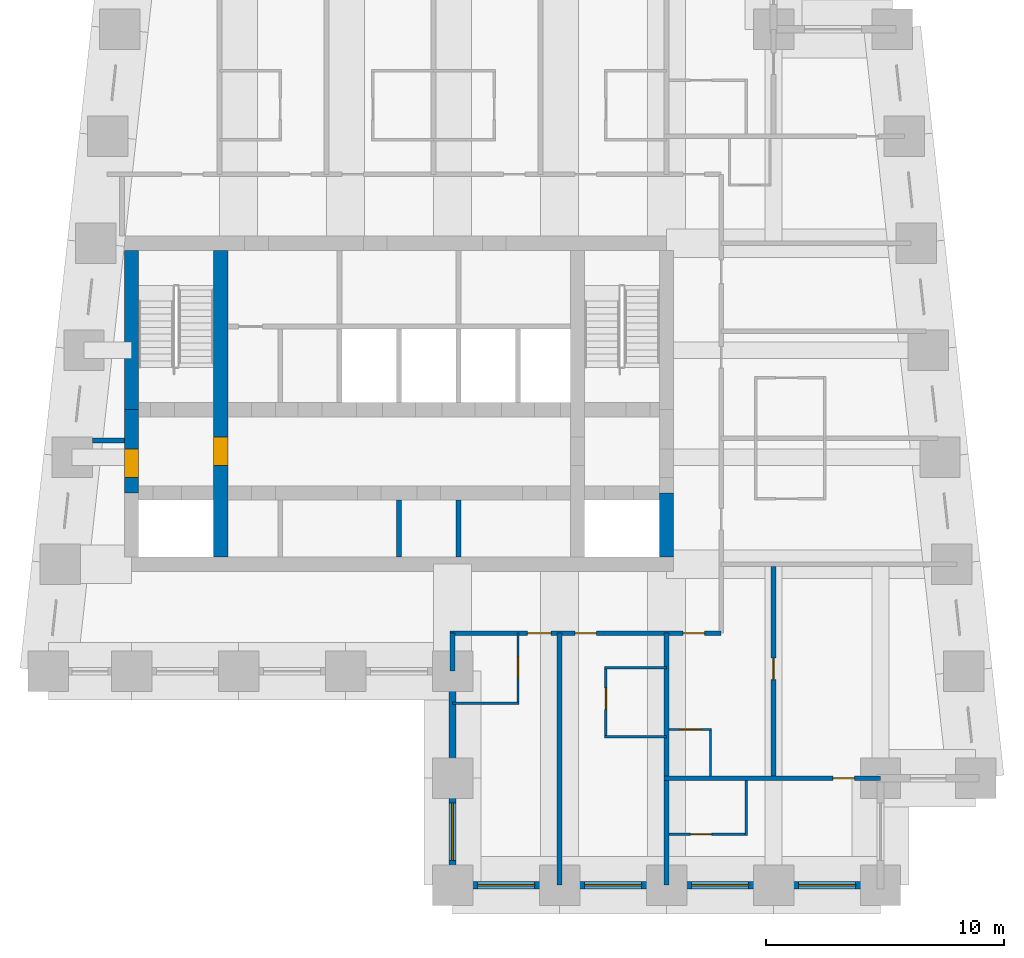
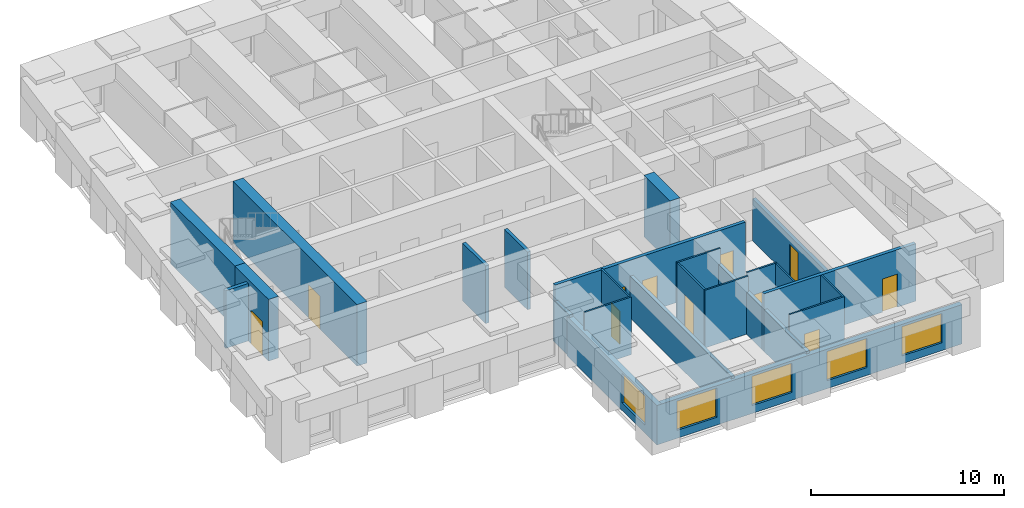
# One storey, part 2 of 7: 24 walls, 11 doors, 5 windows, 16 openings.
"""IFC4 building model written with IfcOpenShell, lengths in metres."""

from ifc_helpers import new_model, si_unit, direction, frame, frame_2d, origin, place, context, subcontext, project, spatial, rectangle, extrude, material, layer, layer_set, type_object, element, fill, save


model = new_model("IFC4")

# Units and contexts
model_context = context("Model", 3, precision=1e-05, world=origin(), true_north=direction((0.0, 1.0)))
body_context = subcontext(model_context, "Body", "Model", "MODEL_VIEW")
ifc_project = project(units=[si_unit("LENGTHUNIT", "METRE"), si_unit("AREAUNIT", "SQUARE_METRE"), si_unit("VOLUMEUNIT", "CUBIC_METRE"), si_unit("PLANEANGLEUNIT", "RADIAN"), si_unit("MASSUNIT", "GRAM", prefix="KILO")], contexts=[model_context])

# Site, building, storey
site_placement = place(None, origin())
site = spatial("IfcSite", under=ifc_project, at=site_placement, CompositionType="ELEMENT")
building_placement = place(site_placement, origin())
building = spatial("IfcBuilding", under=site, at=building_placement, Name="Kilele Tower Hotel", CompositionType="ELEMENT")
storey_placement = place(building_placement, frame((0.0, 0.0, 221.300048828125)))
storey = spatial("IfcBuildingStorey", under=building, at=storey_placement, Name="L57", CompositionType="ELEMENT", Elevation=221.300048828125)

# Wall
ifc_material_1 = material(Name="Moisture-resistant board")
ifc_layer_1 = layer(ifc_material_1, 0.10009765625)
ifc_layer_set_1 = layer_set([ifc_layer_1], Name="Moisture-resistant board")
wall_type_1 = type_object("IfcWallType", Name="Bathroom partition 100", PredefinedType="PLUMBINGWALL", material=ifc_layer_set_1)
wall_1_placement = place(storey_placement, frame((27.0, 7.64990234375, 0.0), z_axis=(0.0, 0.0, 1.0), x_axis=(1.0, 0.0, 0.0)))
element("IfcWall", 1, at=wall_1_placement, inside=storey, type_object=wall_type_1, Name="Bathroom partition 100 L57", PredefinedType="PLUMBINGWALL", context=body_context, shape_type="SweptSolid", body=[
    extrude(rectangle(XDim=2.800048828125, YDim=0.10009765625, at=frame_2d((1.39990234375, 0.0))), origin(), (0.0, 0.0, 1.0), 3.64990234375),
])

# Wall, opening, door
wall_2_placement = place(storey_placement, frame((29.75, 10.60009765625, 0.0), z_axis=(0.0, 0.0, 1.0), x_axis=(0.0, -1.0, 0.0)))
wall_2 = element("IfcWall", 2, at=wall_2_placement, inside=storey, type_object=wall_type_1, Name="Bathroom partition 100 L57", PredefinedType="PLUMBINGWALL", context=body_context, shape_type="SweptSolid", body=[
    extrude(rectangle(XDim=3.0, YDim=0.10009765625, at=frame_2d((1.5, 0.0))), origin(), (0.0, 0.0, 1.0), 3.64990234375),
])
opening_1_placement = place(wall_2_placement, frame((1.0, 0.0, 0.0)))
opening_1 = element("IfcOpeningElement", 3, at=opening_1_placement, cuts=wall_2, Name="Opening D2A", PredefinedType="OPENING", context=body_context, shape_type="SweptSolid", body=[
    extrude(rectangle(XDim=0.89990234375, YDim=2.10009765625, at=frame_2d((0.449951171875, 1.050048828125))), frame((0.0, 0.06005859375, 0.0), z_axis=(0.0, -1.0, 0.0), x_axis=(1.0, 0.0, 0.0)), (0.0, 0.0, 1.0), 0.1201171875),
])
ifc_material_2 = material(Name="Timber door leaf in hardwood frame", Category="wood")
door_type_1 = type_object("IfcDoorType", Name="Bathroom door 900", OperationType="SINGLE_SWING_LEFT", PredefinedType="DOOR", material=ifc_material_2)
door_1_placement = place(opening_1_placement, origin())
door_1 = element("IfcDoor", 4, at=door_1_placement, inside=storey, type_object=door_type_1, Name="Bathroom door 5702B", OperationType="SINGLE_SWING_LEFT", OverallHeight=2.10009765625, OverallWidth=0.89990234375, PredefinedType="DOOR", context=body_context, shape_type="SweptSolid", body=[
    extrude(rectangle(XDim=0.89990234375, YDim=2.10009765625, at=frame_2d((0.449951171875, 1.050048828125))), frame((0.0, 0.02490234375, 0.0), z_axis=(0.0, -1.0, 0.0), x_axis=(1.0, 0.0, 0.0)), (0.0, 0.0, 1.0), 0.050048828125),
])
fill(opening_1, door_1)

# Walls
for number, where, z_axis, x_axis, name in (
    (5, (33.39990234375, 9.14990234375, 0.0), (0.0, 0.0, 1.0), (1.0, 0.0, 0.0), "Bathroom partition 100 L57"),
    (6, (33.39990234375, 6.25, 0.0), (0.0, 0.0, 1.0), (1.0, 0.0, 0.0), "Bathroom partition 100 L57"),
):
    element("IfcWall", number, at=place(storey_placement, frame(where, z_axis=z_axis, x_axis=x_axis)), inside=storey, type_object=wall_type_1, Name=name, PredefinedType="PLUMBINGWALL", context=body_context, shape_type="SweptSolid", body=[
        extrude(rectangle(XDim=2.60009765625, YDim=0.10009765625, at=frame_2d((1.300048828125, 0.0))), origin(), (0.0, 0.0, 1.0), 3.64990234375),
    ])

# Wall, opening, door
wall_3_placement = place(storey_placement, frame((33.449951171875, 9.199951171875, 0.0), z_axis=(0.0, 0.0, 1.0), x_axis=(0.0, -1.0, 0.0)))
wall_3 = element("IfcWall", 7, at=wall_3_placement, inside=storey, type_object=wall_type_1, Name="Bathroom partition 100 L57", PredefinedType="PLUMBINGWALL", context=body_context, shape_type="SweptSolid", body=[
    extrude(rectangle(XDim=3.0, YDim=0.10009765625, at=frame_2d((1.5, 0.0))), origin(), (0.0, 0.0, 1.0), 3.64990234375),
])
opening_2_placement = place(wall_3_placement, frame((1.7998046875, 0.0, 0.0), z_axis=(0.0, 0.0, 1.0), x_axis=(-1.0, 0.0, 0.0)))
opening_2 = element("IfcOpeningElement", 8, at=opening_2_placement, cuts=wall_3, Name="Opening D2A", PredefinedType="OPENING", context=body_context, shape_type="SweptSolid", body=[
    extrude(rectangle(XDim=0.89990234375, YDim=2.10009765625, at=frame_2d((0.449951171875, 1.050048828125))), frame((0.0, 0.06005859375, 0.0), z_axis=(0.0, -1.0, 0.0), x_axis=(1.0, 0.0, 0.0)), (0.0, 0.0, 1.0), 0.1201171875),
])
door_2_placement = place(opening_2_placement, origin())
door_2 = element("IfcDoor", 9, at=door_2_placement, inside=storey, type_object=door_type_1, Name="Bathroom door 5703B", OperationType="SINGLE_SWING_RIGHT", OverallHeight=2.10009765625, OverallWidth=0.89990234375, PredefinedType="DOOR", context=body_context, shape_type="SweptSolid", body=[
    extrude(rectangle(XDim=0.89990234375, YDim=2.10009765625, at=frame_2d((0.449951171875, 1.050048828125))), frame((0.0, 0.02490234375, 0.0), z_axis=(0.0, -1.0, 0.0), x_axis=(1.0, 0.0, 0.0)), (0.0, 0.0, 1.0), 0.050048828125),
])
fill(opening_2, door_2)

# Wall
wall_4_placement = place(storey_placement, frame((37.85009765625, 4.60009765625, 0.0), z_axis=(0.0, 0.0, 1.0), x_axis=(0.0, 1.0, 0.0)))
element("IfcWall", 10, at=wall_4_placement, inside=storey, type_object=wall_type_1, Name="Bathroom partition 100 L57", PredefinedType="PLUMBINGWALL", context=body_context, shape_type="SweptSolid", body=[
    extrude(rectangle(XDim=2.0, YDim=0.10009765625, at=frame_2d((1.0, 0.0))), origin(), (0.0, 0.0, 1.0), 3.64990234375),
])

# Wall, opening, door
wall_5_placement = place(storey_placement, frame((36.10009765625, 6.550048828125, 0.0), z_axis=(0.0, 0.0, 1.0), x_axis=(1.0, 0.0, 0.0)))
wall_5 = element("IfcWall", 11, at=wall_5_placement, inside=storey, type_object=wall_type_1, Name="Bathroom partition 100 L57", PredefinedType="PLUMBINGWALL", context=body_context, shape_type="SweptSolid", body=[
    extrude(rectangle(XDim=1.7998046875, YDim=0.10009765625, at=frame_2d((0.89990234375, 0.0))), origin(), (0.0, 0.0, 1.0), 3.64990234375),
])
opening_3_placement = place(wall_5_placement, frame((0.449951171875, 0.0, 0.0)))
opening_3 = element("IfcOpeningElement", 12, at=opening_3_placement, cuts=wall_5, Name="Opening D2A", PredefinedType="OPENING", context=body_context, shape_type="SweptSolid", body=[
    extrude(rectangle(XDim=0.89990234375, YDim=2.10009765625, at=frame_2d((0.449951171875, 1.050048828125))), frame((0.0, 0.06005859375, 0.0), z_axis=(0.0, -1.0, 0.0), x_axis=(1.0, 0.0, 0.0)), (0.0, 0.0, 1.0), 0.1201171875),
])
door_3_placement = place(opening_3_placement, origin())
door_3 = element("IfcDoor", 13, at=door_3_placement, inside=storey, type_object=door_type_1, Name="Bathroom door 5712P", OperationType="SINGLE_SWING_LEFT", OverallHeight=2.10009765625, OverallWidth=0.89990234375, PredefinedType="DOOR", context=body_context, shape_type="SweptSolid", body=[
    extrude(rectangle(XDim=0.89990234375, YDim=2.10009765625, at=frame_2d((0.449951171875, 1.050048828125))), frame((0.0, 0.02490234375, 0.0), z_axis=(0.0, -1.0, 0.0), x_axis=(1.0, 0.0, 0.0)), (0.0, 0.0, 1.0), 0.050048828125),
])
fill(opening_3, door_3)

# Wall
wall_6_placement = place(storey_placement, frame((39.35009765625, 4.39990234375, 0.0), z_axis=(0.0, 0.0, 1.0), x_axis=(0.0, -1.0, 0.0)))
element("IfcWall", 14, at=wall_6_placement, inside=storey, type_object=wall_type_1, Name="Bathroom partition 100 L57", PredefinedType="PLUMBINGWALL", context=body_context, shape_type="SweptSolid", body=[
    extrude(rectangle(XDim=2.2998046875, YDim=0.10009765625, at=frame_2d((1.14990234375, 0.0))), origin(), (0.0, 0.0, 1.0), 3.64990234375),
])

# Wall, opening, door
wall_7_placement = place(storey_placement, frame((36.10009765625, 2.14990234375, 0.0), z_axis=(0.0, 0.0, 1.0), x_axis=(1.0, 0.0, 0.0)))
wall_7 = element("IfcWall", 15, at=wall_7_placement, inside=storey, type_object=wall_type_1, Name="Bathroom partition 100 L57", PredefinedType="PLUMBINGWALL", context=body_context, shape_type="SweptSolid", body=[
    extrude(rectangle(XDim=3.2998046875, YDim=0.10009765625, at=frame_2d((1.64990234375, 0.0))), origin(), (0.0, 0.0, 1.0), 3.64990234375),
])
opening_4_placement = place(wall_7_placement, frame((1.7998046875, 0.0, 0.0), z_axis=(0.0, 0.0, 1.0), x_axis=(-1.0, 0.0, 0.0)))
opening_4 = element("IfcOpeningElement", 16, at=opening_4_placement, cuts=wall_7, Name="Opening D2A", PredefinedType="OPENING", context=body_context, shape_type="SweptSolid", body=[
    extrude(rectangle(XDim=0.89990234375, YDim=2.10009765625, at=frame_2d((0.449951171875, 1.050048828125))), frame((0.0, 0.06005859375, 0.0), z_axis=(0.0, -1.0, 0.0), x_axis=(1.0, 0.0, 0.0)), (0.0, 0.0, 1.0), 0.1201171875),
])
door_4_placement = place(opening_4_placement, origin())
door_4 = element("IfcDoor", 17, at=door_4_placement, inside=storey, type_object=door_type_1, Name="Bathroom door 5714B", OperationType="SINGLE_SWING_RIGHT", OverallHeight=2.10009765625, OverallWidth=0.89990234375, PredefinedType="DOOR", context=body_context, shape_type="SweptSolid", body=[
    extrude(rectangle(XDim=0.89990234375, YDim=2.10009765625, at=frame_2d((0.449951171875, 1.050048828125))), frame((0.0, 0.02490234375, 0.0), z_axis=(0.0, -1.0, 0.0), x_axis=(1.0, 0.0, 0.0)), (0.0, 0.0, 1.0), 0.050048828125),
])
fill(opening_4, door_4)

ifc_material_3 = material(Name="Concrete C60/75", Category="concrete")
ifc_layer_2 = layer(ifc_material_3, 0.60009765625)
ifc_layer_set_2 = layer_set([ifc_layer_2], Name="Concrete C60/75")
wall_type_2 = type_object("IfcWallType", Name="Core wall 600 C60/75", PredefinedType="SHEAR", material=ifc_layer_set_2)
wall_8_placement = place(storey_placement, frame((17.25, 13.800048828125, 0.0), z_axis=(0.0, 0.0, 1.0), x_axis=(0.0, 1.0, 0.0)))
wall_8 = element("IfcWall", 18, at=wall_8_placement, inside=storey, type_object=wall_type_2, Name="Core wall IW L57", PredefinedType="SHEAR", context=body_context, shape_type="SweptSolid", body=[
    extrude(rectangle(XDim=12.89990234375, YDim=0.60009765625, at=frame_2d((6.449951171875, 0.0))), origin(), (0.0, 0.0, 1.0), 3.89990234375),
])
opening_5_placement = place(wall_8_placement, frame((3.85009765625, 0.0, 0.0)))
opening_5 = element("IfcOpeningElement", 19, at=opening_5_placement, cuts=wall_8, Name="Opening D4", PredefinedType="OPENING", context=body_context, shape_type="SweptSolid", body=[
    extrude(rectangle(XDim=1.199951171875, YDim=2.10009765625, at=frame_2d((0.60009765625, 1.050048828125))), frame((0.0, 0.31005859375, 0.0), z_axis=(0.0, -1.0, 0.0), x_axis=(1.0, 0.0, 0.0)), (0.0, 0.0, 1.0), 0.6201171875),
])
ifc_material_4 = material(Name="Timber door leaf in hardwood frame", Category="wood")
door_type_2 = type_object("IfcDoorType", Name="Firefighting lobby door 1200", OperationType="SINGLE_SWING_LEFT", PredefinedType="DOOR", material=ifc_material_4)
door_5_placement = place(opening_5_placement, origin())
door_5 = element("IfcDoor", 20, at=door_5_placement, inside=storey, type_object=door_type_2, Name="Lobby door L57", OperationType="SINGLE_SWING_LEFT", OverallHeight=2.10009765625, OverallWidth=1.199951171875, PredefinedType="DOOR", context=body_context, shape_type="SweptSolid", body=[
    extrude(rectangle(XDim=1.199951171875, YDim=2.10009765625, at=frame_2d((0.60009765625, 1.050048828125))), frame((0.0, 0.2998046875, 0.0), z_axis=(0.0, -1.0, 0.0), x_axis=(1.0, 0.0, 0.0)), (0.0, 0.0, 1.0), 0.599609375),
])
fill(opening_5, door_5)

# Wall
wall_9_placement = place(storey_placement, frame((13.5, 26.699951171875, 0.0), z_axis=(0.0, 0.0, 1.0), x_axis=(0.0, -1.0, 0.0)))
element("IfcWall", 21, at=wall_9_placement, inside=storey, type_object=wall_type_2, Name="Core wall W1 L57", PredefinedType="SHEAR", context=body_context, shape_type="SweptSolid", body=[
    extrude(rectangle(XDim=6.699951171875, YDim=0.60009765625, at=frame_2d((3.35009765625, 0.0))), origin(), (0.0, 0.0, 1.0), 3.89990234375),
])

# Wall, opening, door
wall_10_placement = place(storey_placement, frame((13.5, 20.0, 0.0), z_axis=(0.0, 0.0, 1.0), x_axis=(0.0, -1.0, 0.0)))
wall_10 = element("IfcWall", 22, at=wall_10_placement, inside=storey, type_object=wall_type_2, Name="Core wall W2 L57", PredefinedType="SHEAR", context=body_context, shape_type="SweptSolid", body=[
    extrude(rectangle(XDim=3.5, YDim=0.60009765625, at=frame_2d((1.75, 0.0))), origin(), (0.0, 0.0, 1.0), 3.89990234375),
])
opening_6_placement = place(wall_10_placement, frame((1.64990234375, 0.0, 0.0)))
opening_6 = element("IfcOpeningElement", 23, at=opening_6_placement, cuts=wall_10, Name="Opening D4", PredefinedType="OPENING", context=body_context, shape_type="SweptSolid", body=[
    extrude(rectangle(XDim=1.199951171875, YDim=2.10009765625, at=frame_2d((0.60009765625, 1.050048828125))), frame((0.0, 0.31005859375, 0.0), z_axis=(0.0, -1.0, 0.0), x_axis=(1.0, 0.0, 0.0)), (0.0, 0.0, 1.0), 0.6201171875),
])
door_6_placement = place(opening_6_placement, origin())
door_6 = element("IfcDoor", 24, at=door_6_placement, inside=storey, type_object=door_type_2, Name="Lobby door L57", OperationType="SINGLE_SWING_RIGHT", OverallHeight=2.10009765625, OverallWidth=1.199951171875, PredefinedType="DOOR", context=body_context, shape_type="SweptSolid", body=[
    extrude(rectangle(XDim=1.199951171875, YDim=2.10009765625, at=frame_2d((0.60009765625, 1.050048828125))), frame((0.0, 0.2998046875, 0.0), z_axis=(0.0, -1.0, 0.0), x_axis=(1.0, 0.0, 0.0)), (0.0, 0.0, 1.0), 0.599609375),
])
fill(opening_6, door_6)

# Wall
wall_11_placement = place(storey_placement, frame((36.0, 13.800048828125, 0.0), z_axis=(0.0, 0.0, 1.0), x_axis=(0.0, 1.0, 0.0)))
element("IfcWall", 25, at=wall_11_placement, inside=storey, type_object=wall_type_2, Name="Core wall E1 L57", PredefinedType="SHEAR", context=body_context, shape_type="SweptSolid", body=[
    extrude(rectangle(XDim=2.699951171875, YDim=0.60009765625, at=frame_2d((1.35009765625, 0.0))), origin(), (0.0, 0.0, 1.0), 3.89990234375),
])

# Wall, openings, doors
ifc_material_5 = material(Name="Blockwork, plastered both sides", Category="masonry")
ifc_layer_3 = layer(ifc_material_5, 0.199951171875)
ifc_layer_set_3 = layer_set([ifc_layer_3], Name="Blockwork, plastered both sides")
wall_type_3 = type_object("IfcWallType", Name="Corridor wall 200", PredefinedType="PARTITIONING", material=ifc_layer_set_3)
wall_12_placement = place(storey_placement, frame((26.89990234375, 10.60009765625, 0.0), z_axis=(0.0, 0.0, 1.0), x_axis=(1.0, 0.0, 0.0)))
wall_12 = element("IfcWall", 26, at=wall_12_placement, inside=storey, type_object=wall_type_3, Name="Corridor wall 200 L57", PredefinedType="PARTITIONING", context=body_context, shape_type="SweptSolid", body=[
    extrude(rectangle(XDim=11.400146484375, YDim=0.199951171875, at=frame_2d((5.7001953125, 0.0))), origin(), (0.0, 0.0, 1.0), 3.64990234375),
])
opening_7_placement = place(wall_12_placement, frame((4.25, 0.0, 0.0), z_axis=(0.0, 0.0, 1.0), x_axis=(-1.0, 0.0, 0.0)))
opening_7 = element("IfcOpeningElement", 27, at=opening_7_placement, cuts=wall_12, Name="Opening D1A", PredefinedType="OPENING", context=body_context, shape_type="SweptSolid", body=[
    extrude(rectangle(XDim=1.0, YDim=2.10009765625, at=frame_2d((0.5, 1.050048828125))), frame((0.0, 0.10986328125, 0.0), z_axis=(0.0, -1.0, 0.0), x_axis=(1.0, 0.0, 0.0)), (0.0, 0.0, 1.0), 0.219970703125),
])
opening_8_placement = place(wall_12_placement, frame((6.14990234375, 0.0, 0.0), z_axis=(0.0, 0.0, 1.0), x_axis=(-1.0, 0.0, 0.0)))
opening_8 = element("IfcOpeningElement", 28, at=opening_8_placement, cuts=wall_12, Name="Opening D1", PredefinedType="OPENING", context=body_context, shape_type="SweptSolid", body=[
    extrude(rectangle(XDim=0.89990234375, YDim=2.10009765625, at=frame_2d((0.449951171875, 1.050048828125))), frame((0.0, 0.10986328125, 0.0), z_axis=(0.0, -1.0, 0.0), x_axis=(1.0, 0.0, 0.0)), (0.0, 0.0, 1.0), 0.219970703125),
])
opening_9_placement = place(wall_12_placement, frame((10.699951171875, 0.0, 0.0), z_axis=(0.0, 0.0, 1.0), x_axis=(-1.0, 0.0, 0.0)))
opening_9 = element("IfcOpeningElement", 29, at=opening_9_placement, cuts=wall_12, Name="Opening D1", PredefinedType="OPENING", context=body_context, shape_type="SweptSolid", body=[
    extrude(rectangle(XDim=0.89990234375, YDim=2.10009765625, at=frame_2d((0.449951171875, 1.050048828125))), frame((0.0, 0.10986328125, 0.0), z_axis=(0.0, -1.0, 0.0), x_axis=(1.0, 0.0, 0.0)), (0.0, 0.0, 1.0), 0.219970703125),
])
ifc_material_6 = material(Name="Timber door leaf in hardwood frame", Category="wood")
door_type_3 = type_object("IfcDoorType", Name="Guest room entrance door 1000", OperationType="SINGLE_SWING_LEFT", PredefinedType="DOOR", material=ifc_material_6)
door_7_placement = place(opening_7_placement, origin())
door_7 = element("IfcDoor", 30, at=door_7_placement, inside=storey, type_object=door_type_3, Name="Room entrance 5702", OperationType="SINGLE_SWING_RIGHT", OverallHeight=2.10009765625, OverallWidth=1.0, PredefinedType="DOOR", context=body_context, shape_type="SweptSolid", body=[
    extrude(rectangle(XDim=1.0, YDim=2.10009765625, at=frame_2d((0.5, 1.050048828125))), frame((0.0, 0.02490234375, 0.0), z_axis=(0.0, -1.0, 0.0), x_axis=(1.0, 0.0, 0.0)), (0.0, 0.0, 1.0), 0.050048828125),
])
fill(opening_7, door_7)
ifc_material_7 = material(Name="Timber door leaf in hardwood frame", Category="wood")
door_type_4 = type_object("IfcDoorType", Name="Guest room entrance door 900", OperationType="SINGLE_SWING_LEFT", PredefinedType="DOOR", material=ifc_material_7)
door_8_placement = place(opening_8_placement, origin())
door_8 = element("IfcDoor", 31, at=door_8_placement, inside=storey, type_object=door_type_4, Name="Room entrance 5703", OperationType="SINGLE_SWING_RIGHT", OverallHeight=2.10009765625, OverallWidth=0.89990234375, PredefinedType="DOOR", context=body_context, shape_type="SweptSolid", body=[
    extrude(rectangle(XDim=0.89990234375, YDim=2.10009765625, at=frame_2d((0.449951171875, 1.050048828125))), frame((0.0, 0.02490234375, 0.0), z_axis=(0.0, -1.0, 0.0), x_axis=(1.0, 0.0, 0.0)), (0.0, 0.0, 1.0), 0.050048828125),
])
fill(opening_8, door_8)
door_9_placement = place(opening_9_placement, origin())
door_9 = element("IfcDoor", 32, at=door_9_placement, inside=storey, type_object=door_type_4, Name="Room entrance 5712", OperationType="SINGLE_SWING_RIGHT", OverallHeight=2.10009765625, OverallWidth=0.89990234375, PredefinedType="DOOR", context=body_context, shape_type="SweptSolid", body=[
    extrude(rectangle(XDim=0.89990234375, YDim=2.10009765625, at=frame_2d((0.449951171875, 1.050048828125))), frame((0.0, 0.02490234375, 0.0), z_axis=(0.0, -1.0, 0.0), x_axis=(1.0, 0.0, 0.0)), (0.0, 0.0, 1.0), 0.050048828125),
])
fill(opening_9, door_9)

# Wall
ifc_material_8 = material(Name="Blockwork, plastered both sides", Category="masonry")
ifc_layer_4 = layer(ifc_material_8, 0.199951171875)
ifc_layer_set_4 = layer_set([ifc_layer_4], Name="Blockwork, plastered both sides")
wall_type_4 = type_object("IfcWallType", Name="Partition wall 200", PredefinedType="PARTITIONING", material=ifc_layer_set_4)
wall_13_placement = place(storey_placement, frame((13.199951171875, 18.699951171875, 0.0), z_axis=(0.0, 0.0, 1.0), x_axis=(-1.0, 0.0, 0.0)))
element("IfcWall", 33, at=wall_13_placement, inside=storey, type_object=wall_type_4, Name="Partition wall 200 L57", PredefinedType="PARTITIONING", context=body_context, shape_type="SweptSolid", body=[
    extrude(rectangle(XDim=1.349853515625, YDim=0.199951171875, at=frame_2d((0.6748046875, 0.0))), origin(), (0.0, 0.0, 1.0), 3.64990234375),
])

# Wall, opening, door
wall_14_placement = place(storey_placement, frame((40.5, 4.60009765625, 0.0), z_axis=(0.0, 0.0, 1.0), x_axis=(0.0, 1.0, 0.0)))
wall_14 = element("IfcWall", 34, at=wall_14_placement, inside=storey, type_object=wall_type_4, Name="Partition wall 200 L57", PredefinedType="PARTITIONING", context=body_context, shape_type="SweptSolid", body=[
    extrude(rectangle(XDim=8.7998046875, YDim=0.199951171875, at=frame_2d((4.39990234375, 0.0))), origin(), (0.0, 0.0, 1.0), 2.64990234375),
])
opening_10_placement = place(wall_14_placement, frame((4.050048828125, 0.0, 0.0)))
opening_10 = element("IfcOpeningElement", 35, at=opening_10_placement, cuts=wall_14, Name="Opening D3", PredefinedType="OPENING", context=body_context, shape_type="SweptSolid", body=[
    extrude(rectangle(XDim=0.89990234375, YDim=2.10009765625, at=frame_2d((0.449951171875, 1.050048828125))), frame((0.0, 0.10986328125, 0.0), z_axis=(0.0, -1.0, 0.0), x_axis=(1.0, 0.0, 0.0)), (0.0, 0.0, 1.0), 0.219970703125),
])
ifc_material_9 = material(Name="Timber door leaf in hardwood frame", Category="wood")
door_type_5 = type_object("IfcDoorType", Name="Suite internal door 900", OperationType="SINGLE_SWING_LEFT", PredefinedType="DOOR", material=ifc_material_9)
door_10_placement = place(opening_10_placement, origin())
door_10 = element("IfcDoor", 36, at=door_10_placement, inside=storey, type_object=door_type_5, Name="Suite door 5713", OperationType="SINGLE_SWING_RIGHT", OverallHeight=2.10009765625, OverallWidth=0.89990234375, PredefinedType="DOOR", context=body_context, shape_type="SweptSolid", body=[
    extrude(rectangle(XDim=0.89990234375, YDim=2.10009765625, at=frame_2d((0.449951171875, 1.050048828125))), frame((0.0, 0.02490234375, 0.0), z_axis=(0.0, -1.0, 0.0), x_axis=(1.0, 0.0, 0.0)), (0.0, 0.0, 1.0), 0.050048828125),
])
fill(opening_10, door_10)

# Walls
ifc_material_10 = material(Name="Blockwork, plastered both sides", Category="masonry")
ifc_layer_5 = layer(ifc_material_10, 0.199951171875)
ifc_layer_set_5 = layer_set([ifc_layer_5], Name="Blockwork, plastered both sides")
wall_type_5 = type_object("IfcWallType", Name="Party wall 200", PredefinedType="PARTITIONING", material=ifc_layer_set_5)
wall_15_placement = place(storey_placement, frame((27.0, 10.60009765625, 0.0), z_axis=(0.0, 0.0, 1.0), x_axis=(0.0, -1.0, 0.0)))
element("IfcWall", 37, at=wall_15_placement, inside=storey, type_object=wall_type_5, Name="Party wall 200 L57", PredefinedType="PARTITIONING", context=body_context, shape_type="SweptSolid", body=[
    extrude(rectangle(XDim=1.60009765625, YDim=0.199951171875, at=frame_2d((0.800048828125, 0.0))), origin(), (0.0, 0.0, 1.0), 2.64990234375),
])
for number, where, z_axis, x_axis, name in (
    (38, (31.5, 10.60009765625, 0.0), (0.0, 0.0, 1.0), (0.0, -1.0, 0.0), "Party wall 200 L57"),
    (39, (36.0, 10.60009765625, 0.0), (0.0, 0.0, 1.0), (0.0, -1.0, 0.0), "Party wall 200 L57"),
):
    element("IfcWall", number, at=place(storey_placement, frame(where, z_axis=z_axis, x_axis=x_axis)), inside=storey, type_object=wall_type_5, Name=name, PredefinedType="PARTITIONING", context=body_context, shape_type="SweptSolid", body=[
        extrude(rectangle(XDim=10.60009765625, YDim=0.199951171875, at=frame_2d((5.300048828125, 0.0))), origin(), (0.0, 0.0, 1.0), 2.64990234375),
    ])

# Wall, opening, door
wall_16_placement = place(storey_placement, frame((35.89990234375, 4.5, 0.0), z_axis=(0.0, 0.0, 1.0), x_axis=(1.0, 0.0, 0.0)))
wall_16 = element("IfcWall", 40, at=wall_16_placement, inside=storey, type_object=wall_type_5, Name="Party wall 200 L57", PredefinedType="PARTITIONING", context=body_context, shape_type="SweptSolid", body=[
    extrude(rectangle(XDim=9.10009765625, YDim=0.199951171875, at=frame_2d((4.550048828125, 0.0))), origin(), (0.0, 0.0, 1.0), 3.64990234375),
])
opening_11_placement = place(wall_16_placement, frame((7.10009765625, 0.0, 0.0)))
opening_11 = element("IfcOpeningElement", 41, at=opening_11_placement, cuts=wall_16, Name="Opening D3", PredefinedType="OPENING", context=body_context, shape_type="SweptSolid", body=[
    extrude(rectangle(XDim=0.89990234375, YDim=2.10009765625, at=frame_2d((0.449951171875, 1.050048828125))), frame((0.0, 0.10986328125, 0.0), z_axis=(0.0, -1.0, 0.0), x_axis=(1.0, 0.0, 0.0)), (0.0, 0.0, 1.0), 0.219970703125),
])
door_11_placement = place(opening_11_placement, origin())
door_11 = element("IfcDoor", 42, at=door_11_placement, inside=storey, type_object=door_type_5, Name="Suite door 5714", OperationType="SINGLE_SWING_RIGHT", OverallHeight=2.10009765625, OverallWidth=0.89990234375, PredefinedType="DOOR", context=body_context, shape_type="SweptSolid", body=[
    extrude(rectangle(XDim=0.89990234375, YDim=2.10009765625, at=frame_2d((0.449951171875, 1.050048828125))), frame((0.0, 0.02490234375, 0.0), z_axis=(0.0, -1.0, 0.0), x_axis=(1.0, 0.0, 0.0)), (0.0, 0.0, 1.0), 0.050048828125),
])
fill(opening_11, door_11)

# Wall, opening, window
ifc_material_11 = material(Name="Concrete C40/50 precast", Category="concrete")
ifc_layer_6 = layer(ifc_material_11, 0.260009765625, Name="Precast backing", Category="LoadBearing")
ifc_material_12 = material(Name="Reconstituted stone finish", Category="masonry")
ifc_layer_7 = layer(ifc_material_12, 0.0400390625, Name="Face mix", Category="Finish")
ifc_layer_set_6 = layer_set([ifc_layer_6, ifc_layer_7], Name="Precast concrete C40/50, reconstituted stone finish")
wall_type_6 = type_object("IfcWallType", Name="Precast stone facade wall 300", PredefinedType="STANDARD", material=ifc_layer_set_6)
wall_17_placement = place(storey_placement, frame((27.0, 9.14990234375, 0.0), z_axis=(0.0, 0.0, 1.0), x_axis=(0.0, -1.0, 0.0)))
wall_17 = element("IfcWall", 43, at=wall_17_placement, inside=storey, type_object=wall_type_6, Name="Facade wall L57 edge 2", PredefinedType="STANDARD", context=body_context, shape_type="SweptSolid", body=[
    extrude(rectangle(XDim=9.2998046875, YDim=0.300048828125, at=frame_2d((4.64990234375, 0.0))), origin(), (0.0, 0.0, 1.0), 2.5),
])
opening_12_placement = place(wall_17_placement, frame((5.699951171875, 0.0, 0.5)))
opening_12 = element("IfcOpeningElement", 44, at=opening_12_placement, cuts=wall_17, Name="Opening W4", PredefinedType="OPENING", context=body_context, shape_type="SweptSolid", body=[
    extrude(rectangle(XDim=2.39990234375, YDim=1.85009765625, at=frame_2d((1.199951171875, 0.925048828125))), frame((0.0, 0.159912109375, 0.0), z_axis=(0.0, -1.0, 0.0), x_axis=(1.0, 0.0, 0.0)), (0.0, 0.0, 1.0), 0.320068359375),
])
ifc_material_13 = material(Name="Aluminium frame, clear double glazing", Category="aluminium")
window_type = type_object("IfcWindowType", Name="Window W4 2400 x 1850", PartitioningType="SINGLE_PANEL", PredefinedType="WINDOW", material=ifc_material_13)
window_1_placement = place(opening_12_placement, origin())
window_1 = element("IfcWindow", 45, at=window_1_placement, inside=storey, type_object=window_type, Name="Window L57", OverallHeight=1.85009765625, OverallWidth=2.39990234375, PartitioningType="SINGLE_PANEL", PredefinedType="WINDOW", context=body_context, shape_type="SweptSolid", body=[
    extrude(rectangle(XDim=2.39990234375, YDim=1.85009765625, at=frame_2d((1.199951171875, 0.925048828125))), frame((0.0, 0.030029296875, 0.0), z_axis=(0.0, -1.0, 0.0), x_axis=(1.0, 0.0, 0.0)), (0.0, 0.0, 1.0), 0.06005859375),
])
fill(opening_12, window_1)

# Wall, openings, windows
wall_18_placement = place(storey_placement, frame((26.85009765625, 0.0, 0.0), z_axis=(0.0, 0.0, 1.0), x_axis=(1.0, 0.0, 0.0)))
wall_18 = element("IfcWall", 46, at=wall_18_placement, inside=storey, type_object=wall_type_6, Name="Facade wall L57 edge 3", PredefinedType="STANDARD", context=body_context, shape_type="SweptSolid", body=[
    extrude(rectangle(XDim=18.2998046875, YDim=0.300048828125, at=frame_2d((9.14990234375, 0.0))), origin(), (0.0, 0.0, 1.0), 2.5),
])
opening_13_placement = place(wall_18_placement, frame((1.199951171875, 0.0, 0.5)))
opening_13 = element("IfcOpeningElement", 47, at=opening_13_placement, cuts=wall_18, Name="Opening W4", PredefinedType="OPENING", context=body_context, shape_type="SweptSolid", body=[
    extrude(rectangle(XDim=2.39990234375, YDim=1.85009765625, at=frame_2d((1.199951171875, 0.925048828125))), frame((0.0, 0.159912109375, 0.0), z_axis=(0.0, -1.0, 0.0), x_axis=(1.0, 0.0, 0.0)), (0.0, 0.0, 1.0), 0.320068359375),
])
opening_14_placement = place(wall_18_placement, frame((5.699951171875, 0.0, 0.5)))
opening_14 = element("IfcOpeningElement", 48, at=opening_14_placement, cuts=wall_18, Name="Opening W4", PredefinedType="OPENING", context=body_context, shape_type="SweptSolid", body=[
    extrude(rectangle(XDim=2.39990234375, YDim=1.85009765625, at=frame_2d((1.199951171875, 0.925048828125))), frame((0.0, 0.159912109375, 0.0), z_axis=(0.0, -1.0, 0.0), x_axis=(1.0, 0.0, 0.0)), (0.0, 0.0, 1.0), 0.320068359375),
])
opening_15_placement = place(wall_18_placement, frame((10.199951171875, 0.0, 0.5)))
opening_15 = element("IfcOpeningElement", 49, at=opening_15_placement, cuts=wall_18, Name="Opening W4", PredefinedType="OPENING", context=body_context, shape_type="SweptSolid", body=[
    extrude(rectangle(XDim=2.39990234375, YDim=1.85009765625, at=frame_2d((1.199951171875, 0.925048828125))), frame((0.0, 0.159912109375, 0.0), z_axis=(0.0, -1.0, 0.0), x_axis=(1.0, 0.0, 0.0)), (0.0, 0.0, 1.0), 0.320068359375),
])
opening_16_placement = place(wall_18_placement, frame((14.699951171875, 0.0, 0.5)))
opening_16 = element("IfcOpeningElement", 50, at=opening_16_placement, cuts=wall_18, Name="Opening W4", PredefinedType="OPENING", context=body_context, shape_type="SweptSolid", body=[
    extrude(rectangle(XDim=2.39990234375, YDim=1.85009765625, at=frame_2d((1.199951171875, 0.925048828125))), frame((0.0, 0.159912109375, 0.0), z_axis=(0.0, -1.0, 0.0), x_axis=(1.0, 0.0, 0.0)), (0.0, 0.0, 1.0), 0.320068359375),
])
window_2_placement = place(opening_13_placement, origin())
window_2 = element("IfcWindow", 51, at=window_2_placement, inside=storey, type_object=window_type, Name="Window L57", OverallHeight=1.85009765625, OverallWidth=2.39990234375, PartitioningType="SINGLE_PANEL", PredefinedType="WINDOW", context=body_context, shape_type="SweptSolid", body=[
    extrude(rectangle(XDim=2.39990234375, YDim=1.85009765625, at=frame_2d((1.199951171875, 0.925048828125))), frame((0.0, 0.030029296875, 0.0), z_axis=(0.0, -1.0, 0.0), x_axis=(1.0, 0.0, 0.0)), (0.0, 0.0, 1.0), 0.06005859375),
])
fill(opening_13, window_2)
window_3_placement = place(opening_14_placement, origin())
window_3 = element("IfcWindow", 52, at=window_3_placement, inside=storey, type_object=window_type, Name="Window L57", OverallHeight=1.85009765625, OverallWidth=2.39990234375, PartitioningType="SINGLE_PANEL", PredefinedType="WINDOW", context=body_context, shape_type="SweptSolid", body=[
    extrude(rectangle(XDim=2.39990234375, YDim=1.85009765625, at=frame_2d((1.199951171875, 0.925048828125))), frame((0.0, 0.030029296875, 0.0), z_axis=(0.0, -1.0, 0.0), x_axis=(1.0, 0.0, 0.0)), (0.0, 0.0, 1.0), 0.06005859375),
])
fill(opening_14, window_3)
window_4_placement = place(opening_15_placement, origin())
window_4 = element("IfcWindow", 53, at=window_4_placement, inside=storey, type_object=window_type, Name="Window L57", OverallHeight=1.85009765625, OverallWidth=2.39990234375, PartitioningType="SINGLE_PANEL", PredefinedType="WINDOW", context=body_context, shape_type="SweptSolid", body=[
    extrude(rectangle(XDim=2.39990234375, YDim=1.85009765625, at=frame_2d((1.199951171875, 0.925048828125))), frame((0.0, 0.030029296875, 0.0), z_axis=(0.0, -1.0, 0.0), x_axis=(1.0, 0.0, 0.0)), (0.0, 0.0, 1.0), 0.06005859375),
])
fill(opening_15, window_4)
window_5_placement = place(opening_16_placement, origin())
window_5 = element("IfcWindow", 54, at=window_5_placement, inside=storey, type_object=window_type, Name="Window L57", OverallHeight=1.85009765625, OverallWidth=2.39990234375, PartitioningType="SINGLE_PANEL", PredefinedType="WINDOW", context=body_context, shape_type="SweptSolid", body=[
    extrude(rectangle(XDim=2.39990234375, YDim=1.85009765625, at=frame_2d((1.199951171875, 0.925048828125))), frame((0.0, 0.030029296875, 0.0), z_axis=(0.0, -1.0, 0.0), x_axis=(1.0, 0.0, 0.0)), (0.0, 0.0, 1.0), 0.06005859375),
])
fill(opening_16, window_5)

# Walls
ifc_material_14 = material(Name="Blockwork, fire-rated", Category="masonry")
ifc_layer_8 = layer(ifc_material_14, 0.199951171875)
ifc_layer_set_7 = layer_set([ifc_layer_8], Name="Blockwork, fire-rated")
wall_type_7 = type_object("IfcWallType", Name="Shaft wall 200", PredefinedType="PARTITIONING", material=ifc_layer_set_7)
for number, where, z_axis, x_axis, name in (
    (55, (24.75, 13.800048828125, 0.0), (0.0, 0.0, 1.0), (0.0, 1.0, 0.0), "Shaft wall 200 L57"),
    (56, (27.25, 13.800048828125, 0.0), (0.0, 0.0, 1.0), (0.0, 1.0, 0.0), "Shaft wall 200 L57"),
):
    element("IfcWall", number, at=place(storey_placement, frame(where, z_axis=z_axis, x_axis=x_axis)), inside=storey, type_object=wall_type_7, Name=name, PredefinedType="PARTITIONING", context=body_context, shape_type="SweptSolid", body=[
        extrude(rectangle(XDim=2.39990234375, YDim=0.199951171875, at=frame_2d((1.199951171875, 0.0))), origin(), (0.0, 0.0, 1.0), 3.64990234375),
    ])

save(model, "model.ifc")
